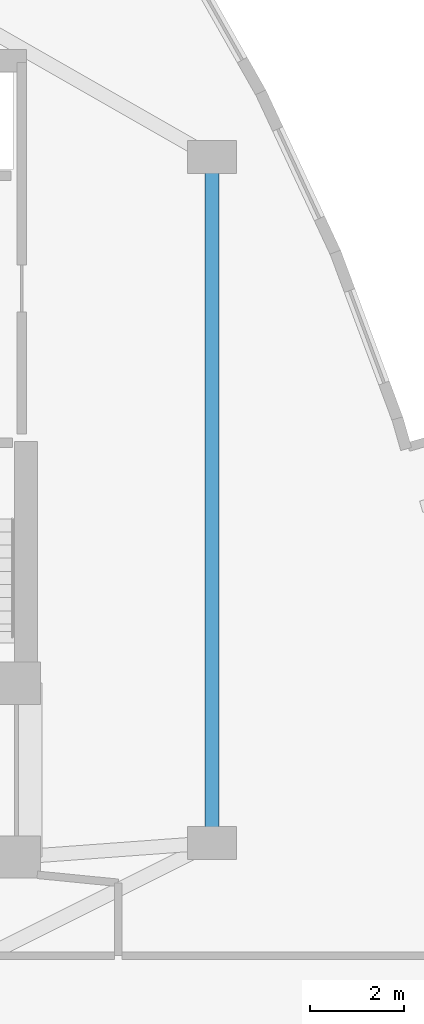
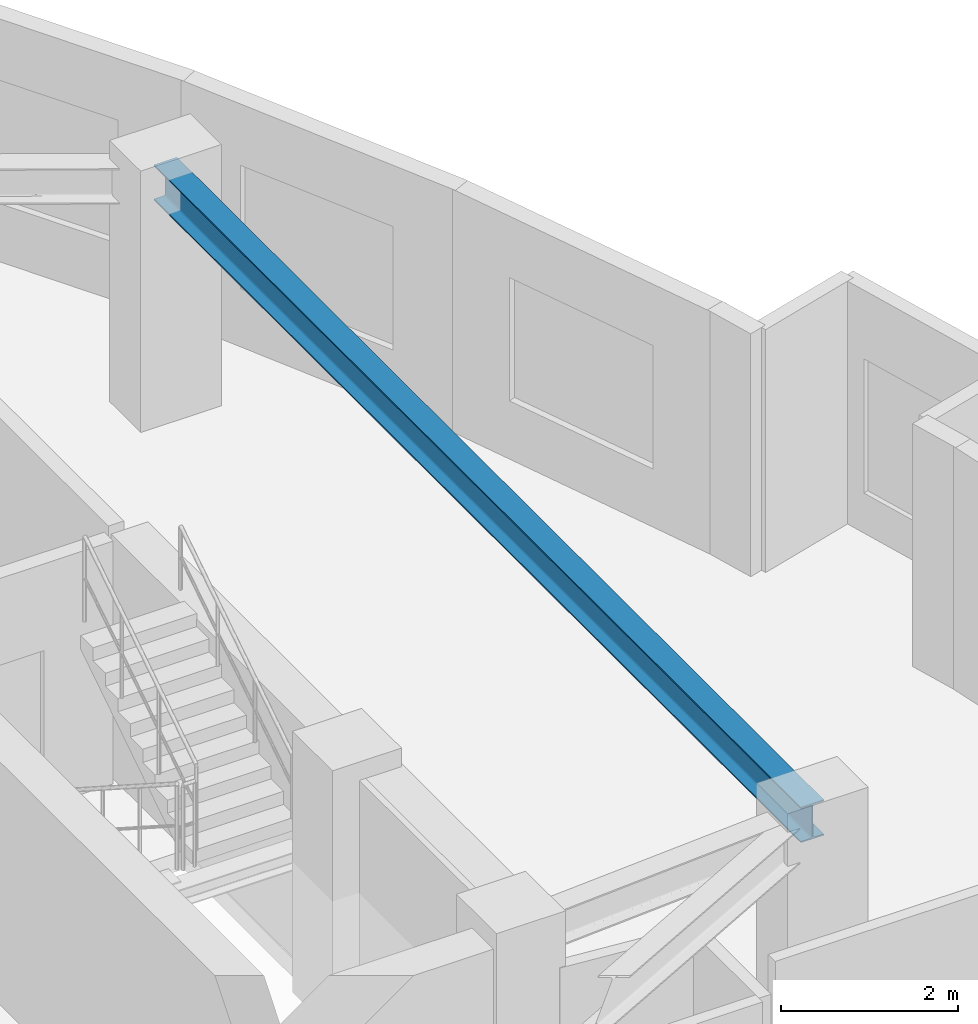
# One storey, part 5 of 15: 1 beam.
"""IFC4 building model written with IfcOpenShell, lengths in metres."""

from ifc_helpers import new_model, si_unit, direction, frame, origin, origin_2d, place, context, subcontext, project, spatial, i_section, extrude, material, material_profile, profile_set, type_object, element, save


model = new_model("IFC4")

# Units and contexts
model_context = context("Model", 3, precision=1e-05, world=origin(), true_north=direction((0.0, 1.0)))
body_context = subcontext(model_context, "Body", "Model", "MODEL_VIEW")
ifc_project = project(units=[si_unit("LENGTHUNIT", "METRE"), si_unit("AREAUNIT", "SQUARE_METRE"), si_unit("VOLUMEUNIT", "CUBIC_METRE"), si_unit("PLANEANGLEUNIT", "RADIAN"), si_unit("MASSUNIT", "GRAM", prefix="KILO")], contexts=[model_context])

# Site, building, storey
site_placement = place(None, origin())
site = spatial("IfcSite", under=ifc_project, at=site_placement, CompositionType="ELEMENT")
building_placement = place(site_placement, origin())
building = spatial("IfcBuilding", under=site, at=building_placement, Name="Miruveldt Soraemaru", CompositionType="ELEMENT")
storey_placement = place(building_placement, frame((0.0, 0.0, 234.0)))
storey = spatial("IfcBuildingStorey", under=building, at=storey_placement, Name="L64", CompositionType="ELEMENT", Elevation=234.0)

# Beam
ifc_material = material(Name="Steel SM355 (355 MPa)", Category="steel")
ifc_material_profile = material_profile(ifc_material, i_section(OverallWidth=0.300048828125, OverallDepth=0.488037109375, WebThickness=0.010986328125, FlangeThickness=0.01806640625, FilletRadius=0.02587890625, at=origin_2d()), Name="Steel SM355 (355 MPa)", Category="steel")
ifc_profile_set = profile_set([ifc_material_profile], Name="Steel SM355 (355 MPa)")
beam_type = type_object("IfcBeamType", Name="BM-ST-H488", PredefinedType="BEAM", material=ifc_profile_set)
beam_placement = place(storey_placement, frame((56.60009765625, 50.39990234375, 3.10107421875), z_axis=(0.0, -1.0, 0.0), x_axis=(1.0, 0.0, 0.0)))
element("IfcBeam", 1, at=beam_placement, inside=storey, type_object=beam_type, Name="L64 Inner Ring Girder 2", PredefinedType="BEAM", context=body_context, shape_type="SweptSolid", body=[
    extrude(i_section(OverallWidth=0.300048828125, OverallDepth=0.488037109375, WebThickness=0.010986328125, FlangeThickness=0.01806640625, FilletRadius=0.02587890625, at=origin_2d()), origin(), (0.0, 0.0, 1.0), 14.599853515625),
])

save(model, "model.ifc")
